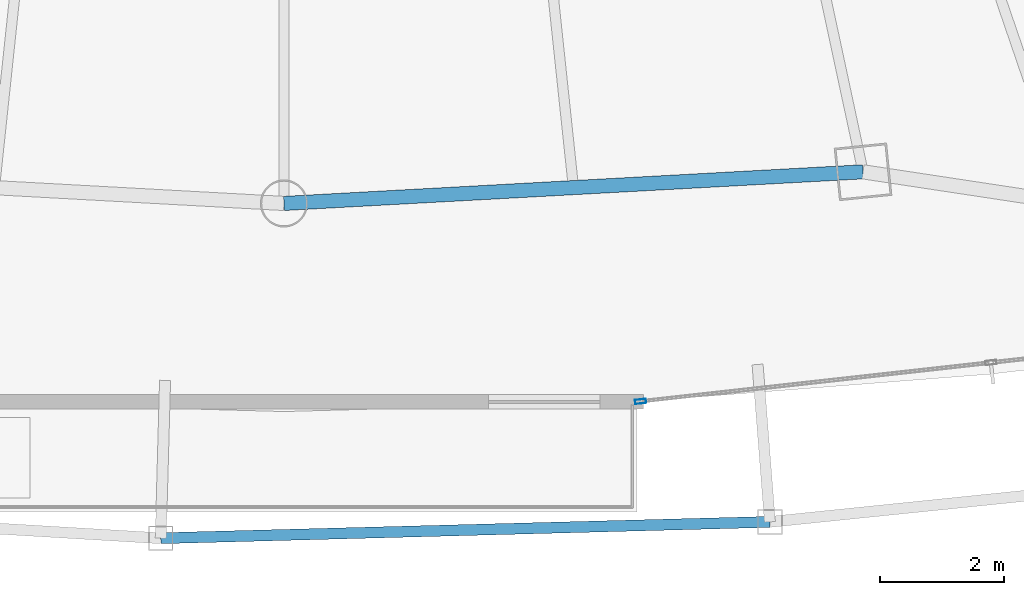
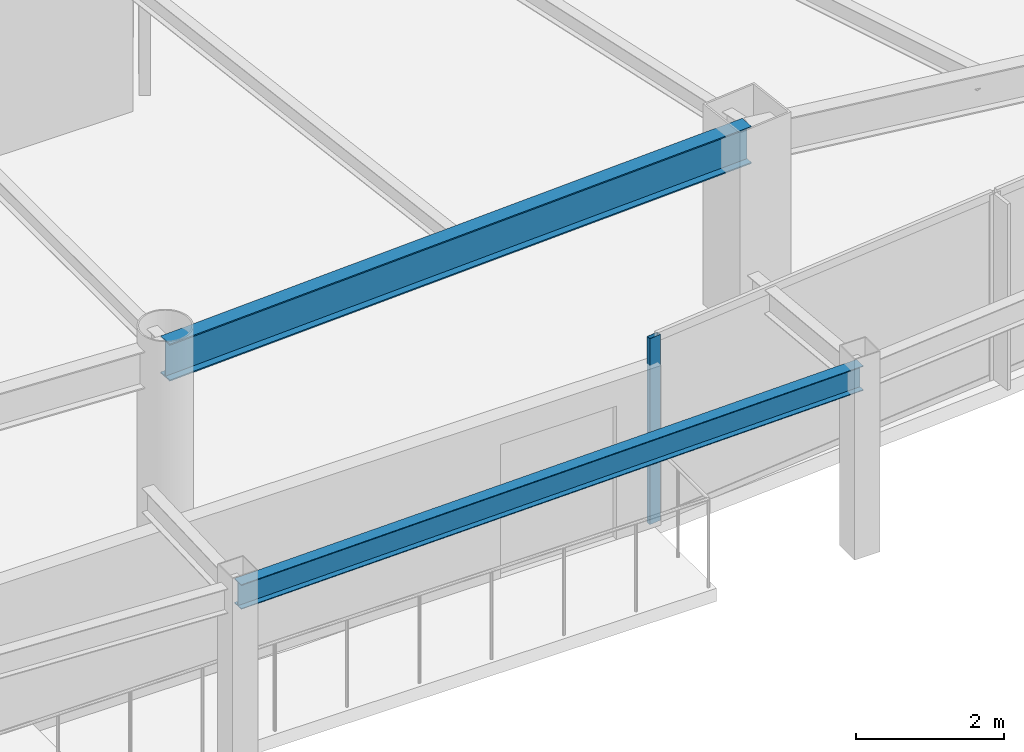
# One storey, part 8 of 31: 2 beams, 1 member, 1 element without a shape of its own.
"""IFC4 building model written with IfcOpenShell, lengths in metres."""

import ifcopenshell
import ifcopenshell.guid

model = None  # the IFC model being written
_history = None  # IfcOwnerHistory: only IFC2X3 demands one
_inside = {}  # id of a spatial element -> (the spatial element, [elements in it])
_under = {}  # id of a project, library or spatial element -> (it, [spatial elements below it])
_declared = {}  # id of a project -> (the project, [libraries it declares])
_typed = {}  # id of a type object -> (the type object, [elements of that type])
_made_of = {}  # id of a material, layer set ... -> (it, [elements and type objects made of it])


def new_model(schema):
    """Start an empty IFC model of exactly this schema.

    Asked for "IFC4X3", IfcOpenShell would pick the latest addendum, in which some entities
    have other attributes; the version numbers below select the first issue.
    IFC2X3 requires an IfcOwnerHistory on every rooted entity: one is made here for all.
    """
    global model, _history
    if schema == "IFC4X3":
        model = ifcopenshell.file(schema_version=(4, 3, 0, 0))
    else:
        model = ifcopenshell.file(schema=schema)
    _inside.clear()
    _under.clear()
    _declared.clear()
    _typed.clear()
    _made_of.clear()
    _history = None
    if model.schema == "IFC2X3":
        org = make("IfcOrganization", Name="unknown")
        user = make(
            "IfcPersonAndOrganization",
            ThePerson=make("IfcPerson", FamilyName="unknown"),
            TheOrganization=org,
        )
        app = make(
            "IfcApplication",
            ApplicationDeveloper=org,
            Version="unknown",
            ApplicationFullName="unknown",
            ApplicationIdentifier="unknown",
        )
        _history = make(
            "IfcOwnerHistory",
            OwningUser=user,
            OwningApplication=app,
            ChangeAction="ADDED",
            CreationDate=0,
        )
    return model


def make(cls, **values):
    """One entity of the class cls with the attributes given. An attribute that is None is left unset."""
    return model.create_entity(
        cls, **{name: value for name, value in values.items() if value is not None}
    )


def rooted(cls, **values):
    """An entity with a GlobalId (a new one), such as an element, a storey or a relation."""
    return make(cls, GlobalId=ifcopenshell.guid.new(), OwnerHistory=_history, **values)


def si_unit(unit_type, name, prefix=None):
    """IfcSIUnit, for example si_unit("LENGTHUNIT", "METRE", prefix="MILLI")."""
    return make("IfcSIUnit", UnitType=unit_type, Prefix=prefix, Name=name)


def assignment(units):
    """IfcUnitAssignment: the units of a project."""
    return None if units is None else make("IfcUnitAssignment", Units=units)


def point(xyz):
    """IfcCartesianPoint."""
    return None if xyz is None else make("IfcCartesianPoint", Coordinates=xyz)


def direction(xyz):
    """IfcDirection."""
    return None if xyz is None else make("IfcDirection", DirectionRatios=xyz)


def frame(location, z_axis=None, x_axis=None):
    """IfcAxis2Placement3D, a coordinate frame: its origin and axes. An axis left out is left unset."""
    return make(
        "IfcAxis2Placement3D",
        Location=point(location),
        Axis=direction(z_axis),
        RefDirection=direction(x_axis),
    )


def frame_2d(location, x_axis=None):
    """IfcAxis2Placement2D, a coordinate frame in the plane: its origin and x axis."""
    return make(
        "IfcAxis2Placement2D", Location=point(location), RefDirection=direction(x_axis)
    )


def origin():
    """The frame at (0, 0, 0) with its axes left unset."""
    return frame((0.0, 0.0, 0.0))


def origin_2d():
    """The frame at (0, 0) in the plane with its x axis left unset."""
    return frame_2d((0.0, 0.0))


def place(relative_to, where):
    """IfcLocalPlacement: puts the frame where relative to a parent placement (None: the world)."""
    return make(
        "IfcLocalPlacement", PlacementRelTo=relative_to, RelativePlacement=where
    )


def context(
    kind, dimensions, precision=None, world=None, true_north=None, identifier=None
):
    """IfcGeometricRepresentationContext, for example the 3D "Model" context."""
    return make(
        "IfcGeometricRepresentationContext",
        ContextIdentifier=identifier,
        ContextType=kind,
        CoordinateSpaceDimension=dimensions,
        Precision=precision,
        WorldCoordinateSystem=world,
        TrueNorth=true_north,
    )


def subcontext(parent, identifier, kind, view, scale=None):
    """IfcGeometricRepresentationSubContext, for example "Body" below "Model"."""
    return make(
        "IfcGeometricRepresentationSubContext",
        ContextIdentifier=identifier,
        ContextType=kind,
        ParentContext=parent,
        TargetScale=scale,
        TargetView=view,
    )


def project(units=None, contexts=None):
    """IfcProject with its units and contexts."""
    return rooted(
        "IfcProject",
        Name="project",
        RepresentationContexts=contexts,
        UnitsInContext=assignment(units),
    )


def spatial(cls, under=None, at=None, **own):
    """A site, building, storey or space (cls), placed at a placement, below another one or the project."""
    s = rooted(cls, ObjectPlacement=at, **own)
    if under is not None:
        _under.setdefault(under.id(), (under, []))[1].append(s)
    return s


def profile(cls, at=None, kind="AREA", **sizes):
    """A parametric profile (cls). Its sizes go by their IFC names, for example OverallWidth=200.0."""
    return make(cls, ProfileType=kind, Position=at, **sizes)


def hollow_rectangle(**sizes):
    """IfcRectangleHollowProfileDef."""
    return profile("IfcRectangleHollowProfileDef", **sizes)


def i_section(**sizes):
    """IfcIShapeProfileDef."""
    return profile("IfcIShapeProfileDef", **sizes)


def extrude(swept, where, along, depth):
    """IfcExtrudedAreaSolid: the profile swept, set in the frame where, extruded along a direction by depth."""
    return make(
        "IfcExtrudedAreaSolid",
        SweptArea=swept,
        Position=where,
        ExtrudedDirection=direction(along),
        Depth=depth,
    )


def shape(context_of_items, identifier, shape_type, items):
    """IfcShapeRepresentation: the items that make up one representation, for example the "Body"."""
    return make(
        "IfcShapeRepresentation",
        ContextOfItems=context_of_items,
        RepresentationIdentifier=identifier,
        RepresentationType=shape_type,
        Items=items,
    )


def material(Name=None, Category=None):
    """IfcMaterial."""
    return make("IfcMaterial", Name=Name, Category=Category)


def layer(
    of_material, thickness, ventilated=None, Name=None, Category=None, Priority=None
):
    """IfcMaterialLayer: one layer of a wall or slab, of a material (None: an air gap)."""
    return make(
        "IfcMaterialLayer",
        Material=of_material,
        LayerThickness=thickness,
        IsVentilated=ventilated,
        Name=Name,
        Category=Category,
        Priority=Priority,
    )


def layer_set(layers, Name=None):
    """IfcMaterialLayerSet."""
    return make("IfcMaterialLayerSet", MaterialLayers=layers, LayerSetName=Name)


def material_profile(
    of_material, cross_section, Name=None, Category=None, Priority=None
):
    """IfcMaterialProfile: a cross section and its material."""
    return make(
        "IfcMaterialProfile",
        Name=Name,
        Material=of_material,
        Profile=cross_section,
        Priority=Priority,
        Category=Category,
    )


def profile_set(profiles, Name=None, composite=None):
    """IfcMaterialProfileSet."""
    return make(
        "IfcMaterialProfileSet",
        Name=Name,
        MaterialProfiles=profiles,
        CompositeProfile=composite,
    )


def made_of(thing, what):
    """Note that an element or type object is made of a material, layer set ...; save() writes the relation."""
    if what is not None:
        _made_of.setdefault(what.id(), (what, []))[1].append(thing)
    return thing


def type_object(cls, material=None, **own):
    """A type object (cls), such as IfcWallType, which elements share."""
    return made_of(rooted(cls, **own), material)


def element(
    cls,
    number,
    at=None,
    inside=None,
    cuts=None,
    type_object=None,
    material=None,
    context=None,
    identifier="Body",
    shape_type=None,
    held_by="IfcProductDefinitionShape",
    body=None,
    shapes=None,
    **own,
):
    """One element of the class cls, such as IfcWall. Its Tag is "e" and its number.

    at: its placement. inside: the storey or other place that contains it. cuts: it is an
    opening in that element (IfcRelVoidsElement). A single representation is given by context,
    identifier, shape_type and body (its items); several are given by shapes. held_by: the class
    of the entity that holds the representations. save() writes the other relations.
    """
    e = rooted(cls, Tag="e%d" % number, ObjectPlacement=at, **own)
    if body is not None:
        shapes = [shape(context, identifier, shape_type, body)]
    if shapes is not None:
        e.Representation = make(held_by, Representations=shapes)
    if inside is not None:
        _inside.setdefault(inside.id(), (inside, []))[1].append(e)
    if cuts is not None:
        rooted(
            "IfcRelVoidsElement", RelatingBuildingElement=cuts, RelatedOpeningElement=e
        )
    if type_object is not None:
        _typed.setdefault(type_object.id(), (type_object, []))[1].append(e)
    return made_of(e, material)


def aggregate(whole, parts):
    """IfcRelAggregates: a whole, such as a stair, and the parts it consists of."""
    return rooted("IfcRelAggregates", RelatingObject=whole, RelatedObjects=parts)


def save(model, path):
    """Write the relations noted so far, then the file.

    IfcRelAggregates (storeys below a building ...), IfcRelContainedInSpatialStructure (elements
    in a storey), IfcRelDefinesByType, IfcRelAssociatesMaterial and IfcRelDeclares: one each for
    every whole, place, type object, material and project.
    """
    for whole, parts in _under.values():
        aggregate(whole, parts)
    for where, things in _inside.values():
        rooted(
            "IfcRelContainedInSpatialStructure",
            RelatedElements=things,
            RelatingStructure=where,
        )
    for kind, things in _typed.values():
        rooted("IfcRelDefinesByType", RelatedObjects=things, RelatingType=kind)
    for what, things in _made_of.values():
        rooted("IfcRelAssociatesMaterial", RelatedObjects=things, RelatingMaterial=what)
    for by, libraries in _declared.values():
        rooted("IfcRelDeclares", RelatingContext=by, RelatedDefinitions=libraries)
    model.write(path)


model = new_model("IFC4")

# Units and contexts
model_context = context("Model", 3, precision=1e-05, world=origin(), true_north=direction((0.0, 1.0)))
body_context = subcontext(model_context, "Body", "Model", "MODEL_VIEW")
ifc_project = project(units=[si_unit("LENGTHUNIT", "METRE"), si_unit("AREAUNIT", "SQUARE_METRE"), si_unit("VOLUMEUNIT", "CUBIC_METRE"), si_unit("PLANEANGLEUNIT", "RADIAN"), si_unit("MASSUNIT", "GRAM", prefix="KILO")], contexts=[model_context])

# Site, building, storey
site_placement = place(None, origin())
site = spatial("IfcSite", under=ifc_project, at=site_placement, CompositionType="ELEMENT")
building_placement = place(site_placement, origin())
building = spatial("IfcBuilding", under=site, at=building_placement, Name="Orvanel Arch Residences", CompositionType="ELEMENT")
storey_placement = place(building_placement, frame((0.0, 0.0, 153.949951171875)))
storey = spatial("IfcBuildingStorey", under=building, at=storey_placement, Name="L43", CompositionType="ELEMENT", Elevation=153.949951171875)

# Curtain wall, member
ifc_material_1 = material(Name="Bronze-anodised aluminium AA6063-T6", Category="aluminium")
ifc_layer = layer(ifc_material_1, 0.179931640625)
ifc_layer_set = layer_set([ifc_layer], Name="Bronze-anodised aluminium AA6063-T6")
curtain_wall_type = type_object("IfcCurtainWallType", Name="CW3-MID-SYS", PredefinedType="NOTDEFINED", material=ifc_layer_set)
curtain_wall_placement = place(storey_placement, origin())
curtain_wall = element("IfcCurtainWall", 1, at=curtain_wall_placement, inside=storey, type_object=curtain_wall_type, Name="L43 CW3-MID-SYS Unitised Curtain Wall", PredefinedType="NOTDEFINED")
ifc_material_profile_1 = material_profile(ifc_material_1, hollow_rectangle(XDim=0.070068359375, YDim=0.179931640625, WallThickness=0.00439453125, at=origin_2d()), Name="ALU180x70x4.5")
ifc_profile_set_1 = profile_set([ifc_material_profile_1], Name="Bronze-anodised aluminium AA6063-T6")
member_type = type_object("IfcMemberType", Name="MUL-180x70", PredefinedType="MULLION", material=ifc_profile_set_1)
member_placement = place(storey_placement, frame((38.7587890625, 3.64697265625, 0.0), z_axis=(0.0, 0.0, 1.0), x_axis=(-0.110374021666, 0.993890122368, 0.0)))
member = element("IfcMember", 2, at=member_placement, type_object=member_type, Name="CW-S3 mullion 1", PredefinedType="MULLION", context=body_context, shape_type="SweptSolid", body=[
    extrude(hollow_rectangle(XDim=0.070068359375, YDim=0.179931640625, WallThickness=0.00439453125, at=origin_2d()), origin(), (0.0, 0.0, 1.0), 3.06005859375),
])
aggregate(curtain_wall, [member])

# Beams
ifc_material_2 = material(Name="Structural steel AS/NZS 3679.1 Grade 300 (300 MPa)", Category="steel")
ifc_material_profile_2 = material_profile(ifc_material_2, i_section(OverallWidth=0.177978515625, OverallDepth=0.406005859375, WebThickness=0.0078125, FlangeThickness=0.0126953125, at=origin_2d()), Name="410UB59.7")
ifc_profile_set_2 = profile_set([ifc_material_profile_2], Name="Structural steel AS/NZS 3679.1 Grade 300 (300 MPa)")
beam_type_1 = type_object("IfcBeamType", Name="OB-410UB-EXT", PredefinedType="SPANDREL", material=ifc_profile_set_2)
beam_1_placement = place(storey_placement, frame((31.010009765625, 1.43798828125, 2.85693359375), z_axis=(0.999640292607, 0.026819496583, 0.0), x_axis=(-0.026819496583, 0.999640292607, 0.0)))
element("IfcBeam", 3, at=beam_1_placement, inside=storey, type_object=beam_type_1, Name="L43 Outer Perimeter Floor Ring Beam 06", PredefinedType="SPANDREL", context=body_context, shape_type="SweptSolid", body=[
    extrude(i_section(OverallWidth=0.177978515625, OverallDepth=0.406005859375, WebThickness=0.0078125, FlangeThickness=0.0126953125, at=origin_2d()), origin(), (0.0, 0.0, 1.0), 9.84033203125),
])
ifc_material_profile_3 = material_profile(ifc_material_2, i_section(OverallWidth=0.22900390625, OverallDepth=0.612060546875, WebThickness=0.011962890625, FlangeThickness=0.01953125, at=origin_2d()), Name="610UB125")
ifc_profile_set_3 = profile_set([ifc_material_profile_3], Name="Structural steel AS/NZS 3679.1 Grade 300 (300 MPa)")
beam_type_2 = type_object("IfcBeamType", Name="SP-610UB", PredefinedType="SPANDREL", material=ifc_profile_set_3)
beam_2_placement = place(storey_placement, frame((33.0, 6.843994140625, 2.754150390625), z_axis=(0.998510315598, 0.054563262768, 0.0), x_axis=(-0.054563262768, 0.998510315598, 0.0)))
element("IfcBeam", 4, at=beam_2_placement, inside=storey, type_object=beam_type_2, Name="L43 Perimeter Spandrel Beam 06", PredefinedType="SPANDREL", context=body_context, shape_type="SweptSolid", body=[
    extrude(i_section(OverallWidth=0.22900390625, OverallDepth=0.612060546875, WebThickness=0.011962890625, FlangeThickness=0.01953125, at=origin_2d()), origin(), (0.0, 0.0, 1.0), 9.364990234375),
])

save(model, "model.ifc")
